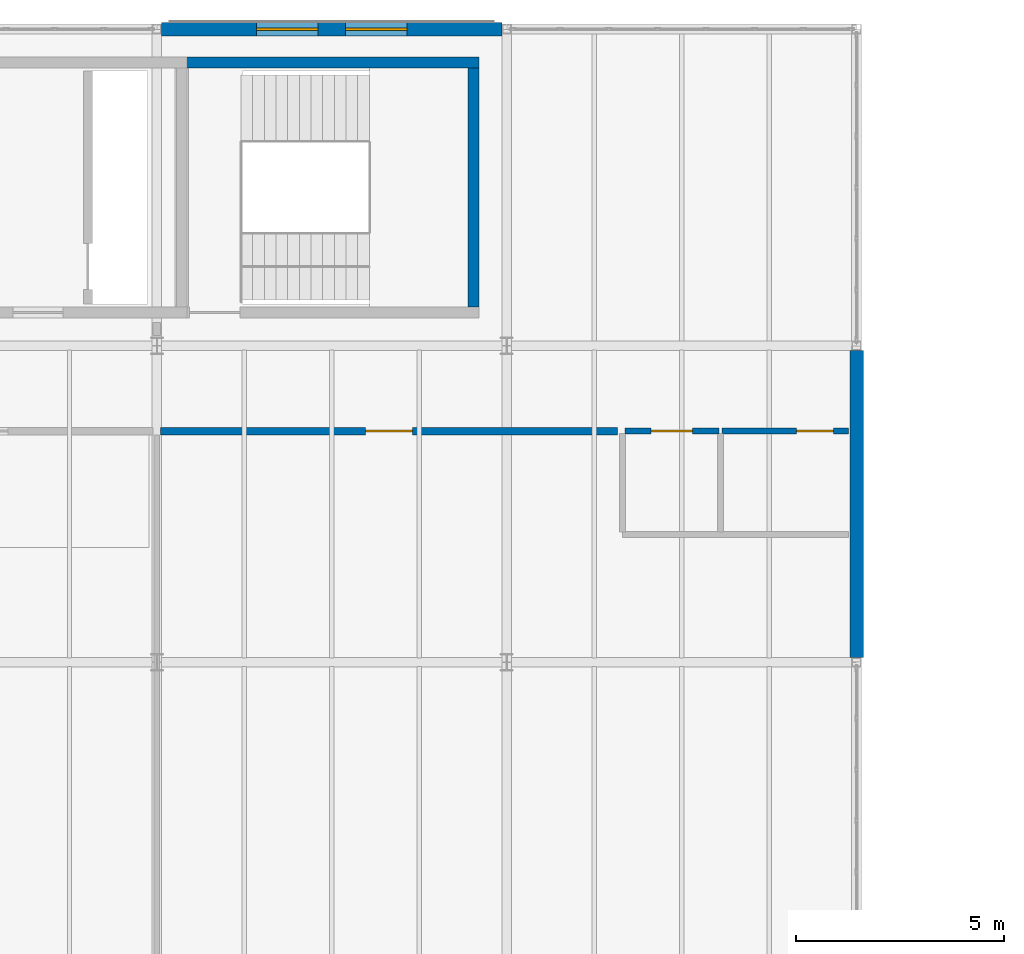
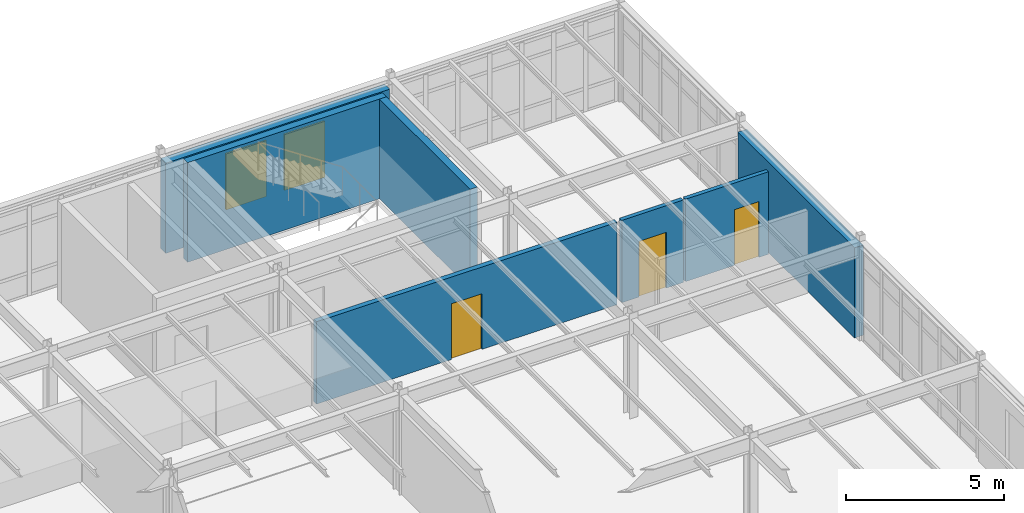
# One storey, part 93 of 114: 7 walls, 3 doors, 2 windows, 5 openings.
"""IFC4 building model written with IfcOpenShell, lengths in metres."""

from ifc_helpers import new_model, si_unit, direction, frame, frame_2d, origin, place, context, subcontext, project, spatial, rectangle, extrude, material, layer, layer_set, type_object, element, fill, save


model = new_model("IFC4")

# Units and contexts
model_context = context("Model", 3, precision=1e-05, world=origin(), true_north=direction((0.0, 1.0)))
body_context = subcontext(model_context, "Body", "Model", "MODEL_VIEW")
ifc_project = project(units=[si_unit("LENGTHUNIT", "METRE"), si_unit("AREAUNIT", "SQUARE_METRE"), si_unit("VOLUMEUNIT", "CUBIC_METRE"), si_unit("PLANEANGLEUNIT", "RADIAN"), si_unit("MASSUNIT", "GRAM", prefix="KILO")], contexts=[model_context])

# Site, building, storey
site_placement = place(None, origin())
site = spatial("IfcSite", under=ifc_project, at=site_placement, CompositionType="ELEMENT")
building_placement = place(site_placement, origin())
building = spatial("IfcBuilding", under=site, at=building_placement, Name="Montecoro Central Library", CompositionType="ELEMENT")
storey_placement = place(building_placement, frame((0.0, 0.0, 13.260009765625)))
storey = spatial("IfcBuildingStorey", under=building, at=storey_placement, Name="L03", CompositionType="ELEMENT", Elevation=13.260009765625)

# Wall
ifc_material_1 = material(Name="Roman travertine stone clad concrete C35/45", Category="masonry")
ifc_layer_1 = layer(ifc_material_1, 0.324951171875)
ifc_layer_set_1 = layer_set([ifc_layer_1], Name="Roman travertine stone clad concrete C35/45")
wall_type_1 = type_object("IfcWallType", Name="EW-TRV-325", PredefinedType="SOLIDWALL", material=ifc_layer_set_1)
wall_1_placement = place(storey_placement, frame((116.800048828125, 103.9130859375, 0.0), z_axis=(0.0, 0.0, 1.0), x_axis=(0.0, 1.0, 0.0)))
element("IfcWall", 1, at=wall_1_placement, inside=storey, type_object=wall_type_1, Name="V2-L03-EW-E2", PredefinedType="SOLIDWALL", context=body_context, shape_type="SweptSolid", body=[
    extrude(rectangle(XDim=7.3740234375, YDim=0.324951171875, at=frame_2d((3.68701171875, 0.0))), origin(), (0.0, 0.0, 1.0), 3.47998046875),
])

# Wall, openings, windows
wall_2_placement = place(storey_placement, frame((108.287109375, 119.0, 0.0), z_axis=(0.0, 0.0, 1.0), x_axis=(-1.0, 0.0, 0.0)))
wall_2 = element("IfcWall", 2, at=wall_2_placement, inside=storey, type_object=wall_type_1, Name="V2-L03-EW-N4", PredefinedType="SOLIDWALL", context=body_context, shape_type="SweptSolid", body=[
    extrude(rectangle(XDim=8.174072265625, YDim=0.324951171875, at=frame_2d((4.0869140625, 0.0))), origin(), (0.0, 0.0, 1.0), 3.47998046875),
])
opening_1_placement = place(wall_2_placement, frame((2.281982421875, 0.0, 0.800048828125)))
opening_1 = element("IfcOpeningElement", 3, at=opening_1_placement, cuts=wall_2, Name="Opening WN-25", PredefinedType="OPENING", context=body_context, shape_type="SweptSolid", body=[
    extrude(rectangle(XDim=1.47998046875, YDim=2.159912109375, at=frame_2d((0.739990234375, 1.080078125))), frame((0.0, 0.17236328125, 0.0), z_axis=(0.0, -1.0, 0.0), x_axis=(1.0, 0.0, 0.0)), (0.0, 0.0, 1.0), 0.344970703125),
])
opening_2_placement = place(wall_2_placement, frame((4.412109375, 0.0, 0.800048828125)))
opening_2 = element("IfcOpeningElement", 4, at=opening_2_placement, cuts=wall_2, Name="Opening WN-25", PredefinedType="OPENING", context=body_context, shape_type="SweptSolid", body=[
    extrude(rectangle(XDim=1.47998046875, YDim=2.159912109375, at=frame_2d((0.739990234375, 1.080078125))), frame((0.0, 0.17236328125, 0.0), z_axis=(0.0, -1.0, 0.0), x_axis=(1.0, 0.0, 0.0)), (0.0, 0.0, 1.0), 0.344970703125),
])
ifc_material_2 = material(Name="Laminated low-E double glazing", Category="glass")
window_type = type_object("IfcWindowType", Name="WN-RDG-148", PartitioningType="SINGLE_PANEL", PredefinedType="WINDOW", material=ifc_material_2)
window_1_placement = place(opening_1_placement, origin())
window_1 = element("IfcWindow", 5, at=window_1_placement, inside=storey, type_object=window_type, Name="V2-L03-WN-N4-1", OverallHeight=2.159912109375, OverallWidth=1.47998046875, PartitioningType="SINGLE_PANEL", PredefinedType="WINDOW", context=body_context, shape_type="SweptSolid", body=[
    extrude(rectangle(XDim=1.47998046875, YDim=2.159912109375, at=frame_2d((0.739990234375, 1.080078125))), frame((0.0, 0.030029296875, 0.0), z_axis=(0.0, -1.0, 0.0), x_axis=(1.0, 0.0, 0.0)), (0.0, 0.0, 1.0), 0.06005859375),
])
fill(opening_1, window_1)
window_2_placement = place(opening_2_placement, origin())
window_2 = element("IfcWindow", 6, at=window_2_placement, inside=storey, type_object=window_type, Name="V2-L03-WN-N4-2", OverallHeight=2.159912109375, OverallWidth=1.47998046875, PartitioningType="SINGLE_PANEL", PredefinedType="WINDOW", context=body_context, shape_type="SweptSolid", body=[
    extrude(rectangle(XDim=1.47998046875, YDim=2.159912109375, at=frame_2d((0.739990234375, 1.080078125))), frame((0.0, 0.030029296875, 0.0), z_axis=(0.0, -1.0, 0.0), x_axis=(1.0, 0.0, 0.0)), (0.0, 0.0, 1.0), 0.06005859375),
])
fill(opening_2, window_2)

# Wall, opening, door
ifc_material_3 = material(Name="Gypsum fire-rated partition")
ifc_layer_2 = layer(ifc_material_3, 0.179931640625)
ifc_layer_set_2 = layer_set([ifc_layer_2], Name="Gypsum fire-rated partition")
wall_type_2 = type_object("IfcWallType", Name="IW-COR-180", PredefinedType="PARTITIONING", material=ifc_layer_set_2)
wall_3_placement = place(storey_placement, frame((100.090087890625, 109.35009765625, 0.0), z_axis=(0.0, 0.0, 1.0), x_axis=(1.0, 0.0, 0.0)))
wall_3 = element("IfcWall", 7, at=wall_3_placement, inside=storey, type_object=wall_type_2, Name="CORW-V2-L03-04", PredefinedType="PARTITIONING", context=body_context, shape_type="SweptSolid", body=[
    extrude(rectangle(XDim=10.969970703125, YDim=0.179931640625, at=frame_2d((5.48486328125, 0.0))), origin(), (0.0, 0.0, 1.0), 3.179931640625),
])
opening_3_placement = place(wall_3_placement, frame((4.925048828125, 0.0, 0.0)))
opening_3 = element("IfcOpeningElement", 8, at=opening_3_placement, cuts=wall_3, Name="Opening ID-12", PredefinedType="OPENING", context=body_context, shape_type="SweptSolid", body=[
    extrude(rectangle(XDim=1.1201171875, YDim=2.14990234375, at=frame_2d((0.56005859375, 1.074951171875))), frame((0.0, 0.099853515625, 0.0), z_axis=(0.0, -1.0, 0.0), x_axis=(1.0, 0.0, 0.0)), (0.0, 0.0, 1.0), 0.199951171875),
])
ifc_material_4 = material(Name="Solid oak and fire-rated steel door", Category="steel")
door_type_1 = type_object("IfcDoorType", Name="ID-RM-112", OperationType="NOTDEFINED", PredefinedType="DOOR", material=ifc_material_4)
door_1_placement = place(opening_3_placement, origin())
door_1 = element("IfcDoor", 9, at=door_1_placement, inside=storey, type_object=door_type_1, Name="DR-SP-V2-L03-R4P1", OperationType="SINGLE_SWING_RIGHT", OverallHeight=2.14990234375, OverallWidth=1.1201171875, PredefinedType="DOOR", context=body_context, shape_type="SweptSolid", body=[
    extrude(rectangle(XDim=1.1201171875, YDim=2.14990234375, at=frame_2d((0.56005859375, 1.074951171875))), frame((0.0, 0.02490234375, 0.0), z_axis=(0.0, -1.0, 0.0), x_axis=(1.0, 0.0, 0.0)), (0.0, 0.0, 1.0), 0.050048828125),
])
fill(opening_3, door_1)

# Walls
ifc_material_5 = material(Name="Concrete C35/45", Category="concrete")
ifc_layer_3 = layer(ifc_material_5, 0.260009765625)
ifc_layer_set_3 = layer_set([ifc_layer_3], Name="Concrete C35/45")
wall_type_3 = type_object("IfcWallType", Name="IW-SHR-260", PredefinedType="SHEAR", material=ifc_layer_set_3)
wall_4_placement = place(storey_placement, frame((100.469970703125, 118.199951171875, 0.0), z_axis=(0.0, 0.0, 1.0), x_axis=(1.0, 0.0, 0.0)))
element("IfcWall", 10, at=wall_4_placement, inside=storey, type_object=wall_type_3, Name="C3-L03-WN", PredefinedType="SHEAR", context=body_context, shape_type="SweptSolid", body=[
    extrude(rectangle(XDim=7.260009765625, YDim=0.260009765625, at=frame_2d((3.6298828125, 0.0))), origin(), (0.0, 0.0, 1.0), 3.844970703125),
])
wall_5_placement = place(storey_placement, frame((107.60009765625, 112.330078125, 0.0), z_axis=(0.0, 0.0, 1.0), x_axis=(0.0, 1.0, 0.0)))
element("IfcWall", 11, at=wall_5_placement, inside=storey, type_object=wall_type_3, Name="C3-L03-WE", PredefinedType="SHEAR", context=body_context, shape_type="SweptSolid", body=[
    extrude(rectangle(XDim=5.739990234375, YDim=0.260009765625, at=frame_2d((2.8701171875, 0.0))), origin(), (0.0, 0.0, 1.0), 3.844970703125),
])

# Wall, opening, door
ifc_material_6 = material(Name="Moisture-resistant ceramic-tiled partition")
ifc_layer_4 = layer(ifc_material_6, 0.14990234375)
ifc_layer_set_4 = layer_set([ifc_layer_4], Name="Moisture-resistant ceramic-tiled partition")
wall_type_4 = type_object("IfcWallType", Name="IW-WET-150", PredefinedType="PARTITIONING", material=ifc_layer_set_4)
wall_6_placement = place(storey_placement, frame((111.239990234375, 109.35009765625, 0.0), z_axis=(0.0, 0.0, 1.0), x_axis=(1.0, 0.0, 0.0)))
wall_6 = element("IfcWall", 12, at=wall_6_placement, inside=storey, type_object=wall_type_4, Name="WC-V2-L03-WFA", PredefinedType="PARTITIONING", context=body_context, shape_type="SweptSolid", body=[
    extrude(rectangle(XDim=2.25, YDim=0.14990234375, at=frame_2d((1.125, 0.0))), origin(), (0.0, 0.0, 1.0), 3.179931640625),
])
opening_4_placement = place(wall_6_placement, frame((0.625, 0.0, 0.0)))
opening_4 = element("IfcOpeningElement", 13, at=opening_4_placement, cuts=wall_6, Name="Opening ID-15", PredefinedType="OPENING", context=body_context, shape_type="SweptSolid", body=[
    extrude(rectangle(XDim=1.0, YDim=2.14990234375, at=frame_2d((0.5, 1.074951171875))), frame((0.0, 0.0849609375, 0.0), z_axis=(0.0, -1.0, 0.0), x_axis=(1.0, 0.0, 0.0)), (0.0, 0.0, 1.0), 0.169921875),
])
door_type_2 = type_object("IfcDoorType", Name="ID-AWC-100", OperationType="NOTDEFINED", PredefinedType="DOOR", material=ifc_material_4)
door_2_placement = place(opening_4_placement, origin())
door_2 = element("IfcDoor", 14, at=door_2_placement, inside=storey, type_object=door_type_2, Name="DR-SP-V2-L03-AWC", OperationType="SINGLE_SWING_RIGHT", OverallHeight=2.14990234375, OverallWidth=1.0, PredefinedType="DOOR", context=body_context, shape_type="SweptSolid", body=[
    extrude(rectangle(XDim=1.0, YDim=2.14990234375, at=frame_2d((0.5, 1.074951171875))), frame((0.0, 0.02490234375, 0.0), z_axis=(0.0, -1.0, 0.0), x_axis=(1.0, 0.0, 0.0)), (0.0, 0.0, 1.0), 0.050048828125),
])
fill(opening_4, door_2)

wall_7_placement = place(storey_placement, frame((113.570068359375, 109.35009765625, 0.0), z_axis=(0.0, 0.0, 1.0), x_axis=(1.0, 0.0, 0.0)))
wall_7 = element("IfcWall", 15, at=wall_7_placement, inside=storey, type_object=wall_type_4, Name="WC-V2-L03-WFP", PredefinedType="PARTITIONING", context=body_context, shape_type="SweptSolid", body=[
    extrude(rectangle(XDim=3.030029296875, YDim=0.14990234375, at=frame_2d((1.51513671875, 0.0))), origin(), (0.0, 0.0, 1.0), 3.179931640625),
])
opening_5_placement = place(wall_7_placement, frame((1.780029296875, 0.0, 0.0)))
opening_5 = element("IfcOpeningElement", 16, at=opening_5_placement, cuts=wall_7, Name="Opening ID-16", PredefinedType="OPENING", context=body_context, shape_type="SweptSolid", body=[
    extrude(rectangle(XDim=0.89990234375, YDim=2.14990234375, at=frame_2d((0.449951171875, 1.074951171875))), frame((0.0, 0.0849609375, 0.0), z_axis=(0.0, -1.0, 0.0), x_axis=(1.0, 0.0, 0.0)), (0.0, 0.0, 1.0), 0.169921875),
])
door_type_3 = type_object("IfcDoorType", Name="ID-WC-090", OperationType="NOTDEFINED", PredefinedType="DOOR", material=ifc_material_4)
door_3_placement = place(opening_5_placement, origin())
door_3 = element("IfcDoor", 17, at=door_3_placement, inside=storey, type_object=door_type_3, Name="DR-SP-V2-L03-PWC", OperationType="SINGLE_SWING_LEFT", OverallHeight=2.14990234375, OverallWidth=0.89990234375, PredefinedType="DOOR", context=body_context, shape_type="SweptSolid", body=[
    extrude(rectangle(XDim=0.89990234375, YDim=2.14990234375, at=frame_2d((0.449951171875, 1.074951171875))), frame((0.0, 0.02490234375, 0.0), z_axis=(0.0, -1.0, 0.0), x_axis=(1.0, 0.0, 0.0)), (0.0, 0.0, 1.0), 0.050048828125),
])
fill(opening_5, door_3)

save(model, "model.ifc")
